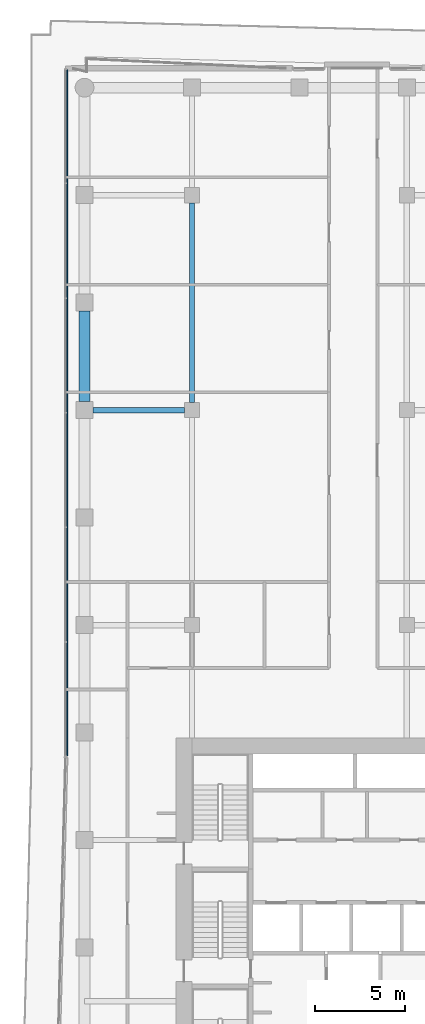
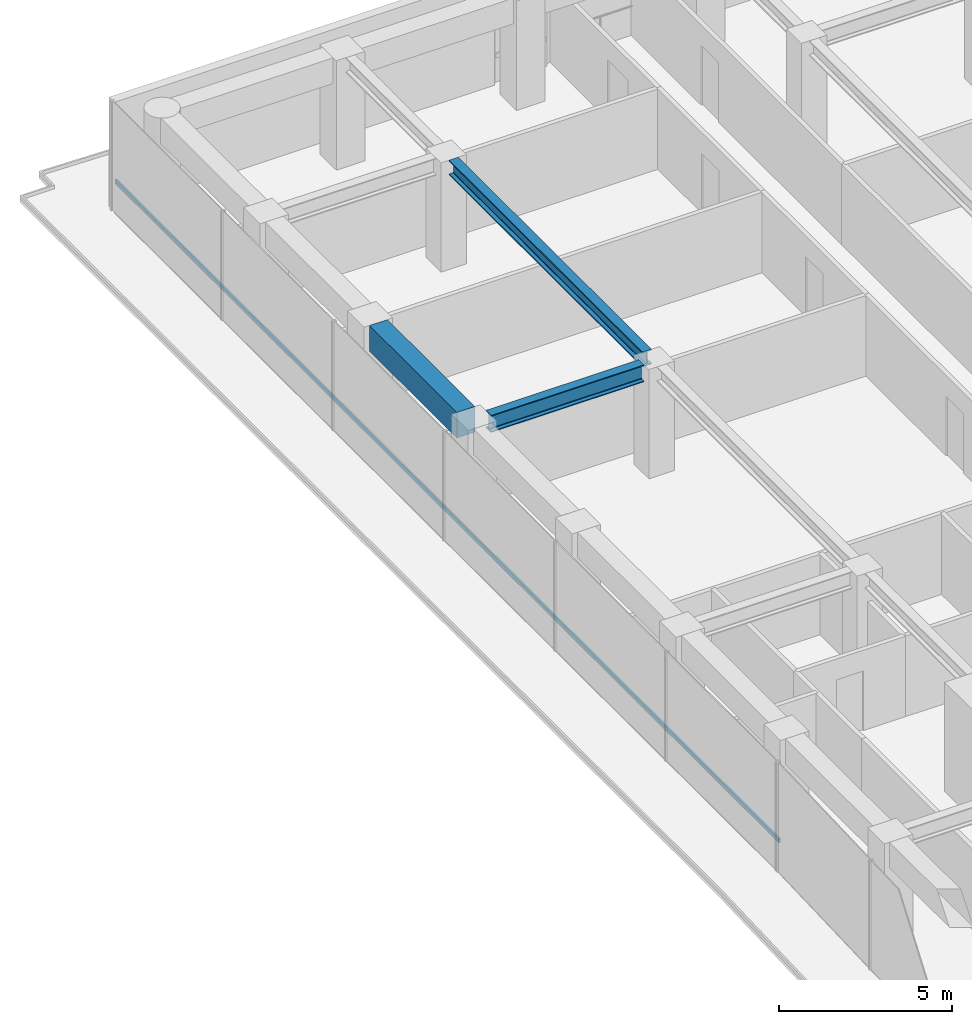
# One storey, part 16 of 28: 3 beams, 1 member, 1 element without a shape of its own.
"""IFC4 building model written with IfcOpenShell, lengths in metres."""

from ifc_helpers import new_model, si_unit, direction, frame, origin, origin_2d, place, context, subcontext, project, spatial, rectangle, i_section, extrude, material, layer, layer_set, material_profile, profile_set, type_object, element, aggregate, save


model = new_model("IFC4")

# Units and contexts
model_context = context("Model", 3, precision=1e-05, world=origin(), true_north=direction((0.0, 1.0)))
body_context = subcontext(model_context, "Body", "Model", "MODEL_VIEW")
ifc_project = project(units=[si_unit("LENGTHUNIT", "METRE"), si_unit("AREAUNIT", "SQUARE_METRE"), si_unit("VOLUMEUNIT", "CUBIC_METRE"), si_unit("PLANEANGLEUNIT", "RADIAN"), si_unit("MASSUNIT", "GRAM", prefix="KILO")], contexts=[model_context])

# Site, building, storey
site_placement = place(None, origin())
site = spatial("IfcSite", under=ifc_project, at=site_placement, CompositionType="ELEMENT")
building_placement = place(site_placement, origin())
building = spatial("IfcBuilding", under=site, at=building_placement, Name="Welwitschia Terrace Campus", CompositionType="ELEMENT")
storey_placement = place(building_placement, frame((0.0, 0.0, 45.800048828125)))
storey = spatial("IfcBuildingStorey", under=building, at=storey_placement, Name="L10", CompositionType="ELEMENT", Elevation=45.800048828125)

# Beams
ifc_material_1 = material(Name="Steel S355", Category="steel")
ifc_material_profile_1 = material_profile(ifc_material_1, i_section(OverallWidth=0.305908203125, OverallDepth=0.52392578125, WebThickness=0.02099609375, FlangeThickness=0.0400390625, FilletRadius=0.027099609375, at=origin_2d()))
ifc_profile_set_1 = profile_set([ifc_material_profile_1], Name="Steel S355")
beam_type_1 = type_object("IfcBeamType", Name="Interior girder HE 500 M", PredefinedType="BEAM", material=ifc_profile_set_1)
beam_1_placement = place(storey_placement, frame((6.0, 44.425537109375, 3.587890625), z_axis=(0.0, 1.0, 0.0), x_axis=(-1.0, 0.0, 0.0)))
element("IfcBeam", 1, at=beam_1_placement, inside=storey, type_object=beam_type_1, Name="Girder GB2", PredefinedType="BEAM", context=body_context, shape_type="SweptSolid", body=[
    extrude(i_section(OverallWidth=0.305908203125, OverallDepth=0.52392578125, WebThickness=0.02099609375, FlangeThickness=0.0400390625, FilletRadius=0.027099609375, at=origin_2d()), origin(), (0.0, 0.0, 1.0), 11.14892578125),
])
ifc_material_2 = material(Name="Steel S355", Category="steel")
ifc_material_profile_2 = material_profile(ifc_material_2, i_section(OverallWidth=0.300048828125, OverallDepth=0.60009765625, WebThickness=0.015380859375, FlangeThickness=0.030029296875, FilletRadius=0.027099609375, at=origin_2d()))
ifc_profile_set_2 = profile_set([ifc_material_profile_2], Name="Steel S355")
beam_type_2 = type_object("IfcBeamType", Name="Primary beam HE 600 B", PredefinedType="BEAM", material=ifc_profile_set_2)
beam_2_placement = place(storey_placement, frame((0.4755859375, 44.0, 3.550048828125), z_axis=(1.0, 0.0, 0.0), x_axis=(0.0, 1.0, 0.0)))
element("IfcBeam", 2, at=beam_2_placement, inside=storey, type_object=beam_type_2, Name="Primary beam PB2", PredefinedType="BEAM", context=body_context, shape_type="SweptSolid", body=[
    extrude(i_section(OverallWidth=0.300048828125, OverallDepth=0.60009765625, WebThickness=0.015380859375, FlangeThickness=0.030029296875, FilletRadius=0.027099609375, at=origin_2d()), origin(), (0.0, 0.0, 1.0), 5.098876953125),
])
ifc_material_3 = material(Name="Concrete C60/75", Category="concrete")
ifc_material_profile_3 = material_profile(ifc_material_3, rectangle(XDim=0.60009765625, YDim=0.89990234375, at=origin_2d()))
ifc_profile_set_3 = profile_set([ifc_material_profile_3], Name="Concrete C60/75")
beam_type_3 = type_object("IfcBeamType", Name="Ring spandrel 600x900", PredefinedType="SPANDREL", material=ifc_profile_set_3)
beam_3_placement = place(storey_placement, frame((0.0, 49.5244140625, 3.39990234375), z_axis=(0.0, -1.0, 0.0), x_axis=(1.0, 0.0, 0.0)))
element("IfcBeam", 3, at=beam_3_placement, inside=storey, type_object=beam_type_3, Name="Spandrel SP2", PredefinedType="SPANDREL", context=body_context, shape_type="SweptSolid", body=[
    extrude(rectangle(XDim=0.60009765625, YDim=0.89990234375, at=origin_2d()), origin(), (0.0, 0.0, 1.0), 5.048828125),
])

# Curtain wall, member
ifc_material_4 = material(Name="Bronze anodised aluminium", Category="aluminium")
ifc_layer = layer(ifc_material_4, 0.1201171875)
ifc_layer_set = layer_set([ifc_layer], Name="Bronze anodised aluminium")
curtain_wall_type = type_object("IfcCurtainWallType", Name="Curtain wall CW2 tower 6000", PredefinedType="NOTDEFINED", material=ifc_layer_set)
curtain_wall_placement = place(storey_placement, origin())
curtain_wall = element("IfcCurtainWall", 4, at=curtain_wall_placement, inside=storey, type_object=curtain_wall_type, Name="CW L10.11.0", PredefinedType="NOTDEFINED")
ifc_material_5 = material(Name="Bronze anodised aluminium", Category="aluminium")
ifc_material_profile_4 = material_profile(ifc_material_5, rectangle(XDim=0.06005859375, YDim=0.14990234375, at=origin_2d()))
ifc_profile_set_4 = profile_set([ifc_material_profile_4], Name="Bronze anodised aluminium")
member_type = type_object("IfcMemberType", Name="Transom 60x150", PredefinedType="USERDEFINED", material=ifc_profile_set_4)
member_placement = place(storey_placement, frame((-0.968017578125, 62.996337890625, 1.0), z_axis=(0.0, -1.0, 0.0), x_axis=(1.0, 0.0, 0.0)))
member = element("IfcMember", 5, at=member_placement, type_object=member_type, Name="Transom L10.11.0", ObjectType="TRANSOM", PredefinedType="USERDEFINED", context=body_context, shape_type="SweptSolid", body=[
    extrude(rectangle(XDim=0.06005859375, YDim=0.14990234375, at=origin_2d()), origin(), (0.0, 0.0, 1.0), 38.280517578125),
])
aggregate(curtain_wall, [member])

save(model, "model.ifc")
